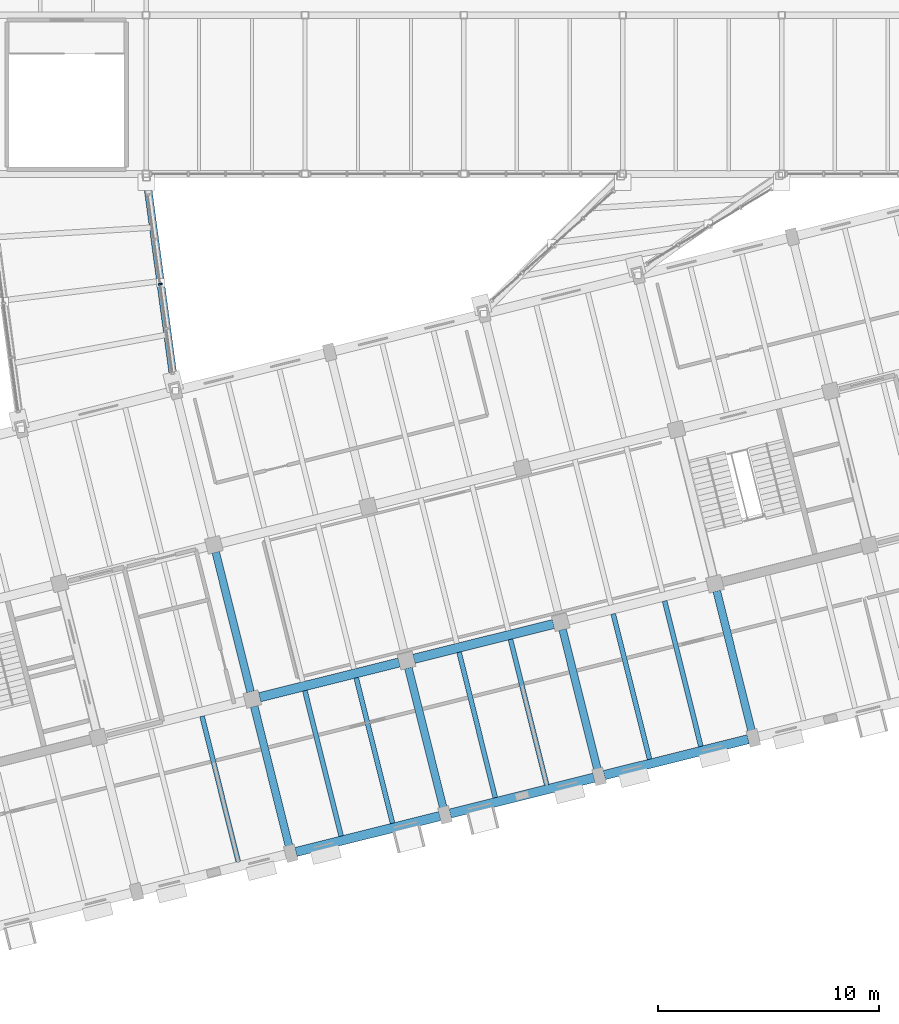
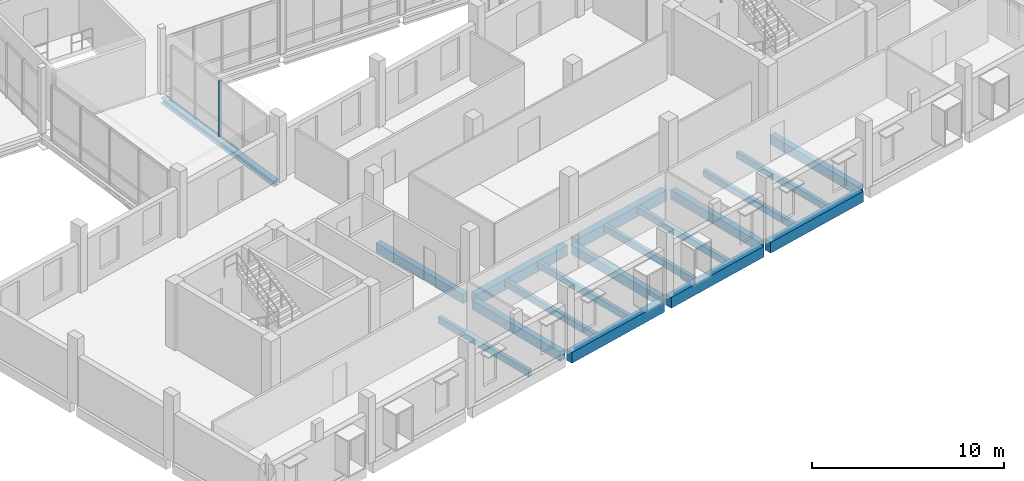
# One storey, part 13 of 63: 18 beams, 1 member, 1 element without a shape of its own.
"""IFC4 building model written with IfcOpenShell, lengths in metres."""

from ifc_helpers import new_model, si_unit, direction, frame, origin, origin_2d, place, context, subcontext, project, spatial, rectangle, i_section, extrude, material, material_profile, profile_set, type_object, element, aggregate, save


model = new_model("IFC4")

# Units and contexts
model_context = context("Model", 3, precision=1e-05, world=origin(), true_north=direction((0.0, 1.0)))
body_context = subcontext(model_context, "Body", "Model", "MODEL_VIEW")
ifc_project = project(units=[si_unit("LENGTHUNIT", "METRE"), si_unit("AREAUNIT", "SQUARE_METRE"), si_unit("VOLUMEUNIT", "CUBIC_METRE"), si_unit("PLANEANGLEUNIT", "RADIAN"), si_unit("MASSUNIT", "GRAM", prefix="KILO")], contexts=[model_context])

# Site, building, storey
site_placement = place(None, origin())
site = spatial("IfcSite", under=ifc_project, at=site_placement, CompositionType="ELEMENT")
building_placement = place(site_placement, origin())
building = spatial("IfcBuilding", under=site, at=building_placement, Name="Qiaolan Assembly House", CompositionType="ELEMENT")
storey_placement = place(building_placement, frame((0.0, 0.0, 14.39990234375)))
storey = spatial("IfcBuildingStorey", under=building, at=storey_placement, Name="L03", CompositionType="ELEMENT", Elevation=14.39990234375)

# Beams
ifc_material_1 = material(Name="Steel Q355B", Category="steel")
ifc_material_profile_1 = material_profile(ifc_material_1, i_section(OverallWidth=0.35009765625, OverallDepth=0.35009765625, WebThickness=0.011962890625, FlangeThickness=0.01904296875, FilletRadius=0.02001953125, at=origin_2d()), Name="HW 350x350x12x19-BR")
ifc_profile_set_1 = profile_set([ifc_material_profile_1], Name="Steel Q355B")
beam_type_1 = type_object("IfcBeamType", Name="BM-BRIDGE-CHORD-HW350", PredefinedType="BEAM", material=ifc_profile_set_1)
beam_1_placement = place(storey_placement, frame((51.703857421875, 26.30029296875, -0.364990234375), z_axis=(-0.133217934411, 0.991086768124, 0.0), x_axis=(-0.991086768124, -0.133217934411, 0.0)))
element("IfcBeam", 1, at=beam_1_placement, inside=storey, type_object=beam_type_1, Name="BGB-01 skybridge main girder WB L03", PredefinedType="BEAM", context=body_context, shape_type="SweptSolid", body=[
    extrude(i_section(OverallWidth=0.35009765625, OverallDepth=0.35009765625, WebThickness=0.011962890625, FlangeThickness=0.01904296875, FilletRadius=0.02001953125, at=origin_2d()), origin(), (0.0, 0.0, 1.0), 9.64697265625),
])
ifc_material_2 = material(Name="Concrete C40/50", Category="concrete")
ifc_material_profile_2 = material_profile(ifc_material_2, rectangle(XDim=0.35009765625, YDim=0.60009765625, at=origin_2d()), Name="RCB 350x600")
ifc_profile_set_2 = profile_set([ifc_material_profile_2], Name="Concrete C40/50")
beam_type_2 = type_object("IfcBeamType", Name="BM-RC-350x600", PredefinedType="BEAM", material=ifc_profile_set_2)
beam_2_placement = place(storey_placement, frame((56.900390625, 5.45849609375, -0.514892578125), z_axis=(-0.241928153868, 0.970294165893, 0.0), x_axis=(-0.970294165893, -0.241928153868, 0.0)))
element("IfcBeam", 2, at=beam_2_placement, inside=storey, type_object=beam_type_2, Name="GB-08 beam BMV-SE-L03-03-00", PredefinedType="BEAM", context=body_context, shape_type="SweptSolid", body=[
    extrude(rectangle(XDim=0.35009765625, YDim=0.60009765625, at=origin_2d()), origin(), (0.0, 0.0, 1.0), 6.619873046875),
])
beam_3_placement = place(storey_placement, frame((55.13427734375, 12.54150390625, -0.514892578125), z_axis=(-0.241927658105, 0.970294289504, 0.0), x_axis=(-0.970294289504, -0.241927658105, 0.0)))
element("IfcBeam", 3, at=beam_3_placement, inside=storey, type_object=beam_type_2, Name="GB-08 beam BMV-SE-L03-03-01", PredefinedType="BEAM", context=body_context, shape_type="SweptSolid", body=[
    extrude(rectangle(XDim=0.35009765625, YDim=0.60009765625, at=origin_2d()), origin(), (0.0, 0.0, 1.0), 6.52001953125),
])
for number, where, z_axis, x_axis, name in (
    (4, (63.886474609375, 7.2001953125, -0.514892578125), (-0.241928153868, 0.970294165893, 0.0), (-0.970294165893, -0.241928153868, 0.0), "GB-08 beam BMV-SE-L03-04-00"),
    (5, (70.87255859375, 8.942138671875, -0.514892578125), (-0.241928153868, 0.970294165893, 0.0), (-0.970294165893, -0.241928153868, 0.0), "GB-08 beam BMV-SE-L03-05-00"),
    (6, (77.858642578125, 10.683837890625, -0.514892578125), (-0.241928153868, 0.970294165893, 0.0), (-0.970294165893, -0.241928153868, 0.0), "GB-08 beam BMV-SE-L03-06-00"),
):
    element("IfcBeam", number, at=place(storey_placement, frame(where, z_axis=z_axis, x_axis=x_axis)), inside=storey, type_object=beam_type_2, Name=name, PredefinedType="BEAM", context=body_context, shape_type="SweptSolid", body=[
        extrude(rectangle(XDim=0.35009765625, YDim=0.60009765625, at=origin_2d()), origin(), (0.0, 0.0, 1.0), 6.619873046875),
    ])
ifc_material_profile_3 = material_profile(ifc_material_2, rectangle(XDim=0.419921875, YDim=0.679931640625, at=origin_2d()), Name="RCB 420x680")
ifc_profile_set_3 = profile_set([ifc_material_profile_3], Name="Concrete C40/50")
beam_type_3 = type_object("IfcBeamType", Name="BM-RC-420x680", PredefinedType="BEAM", material=ifc_profile_set_3)
for number, where, z_axis, x_axis, name in (
    (7, (57.191162109375, 5.28369140625, -0.554931640625), (0.970304699599, 0.241885902723, 0.0), (-0.241885902723, 0.970304699599, 0.0), "GB-12 beam BMU-SE-L03-03-00"),
    (8, (64.177490234375, 7.025390625, -0.554931640625), (0.970294045957, 0.241928634891, 0.0), (-0.241928634891, 0.970294045957, 0.0), "GB-12 beam BMU-SE-L03-04-00"),
    (9, (71.16357421875, 8.767333984375, -0.554931640625), (0.970294045957, 0.241928634891, 0.0), (-0.241928634891, 0.970294045957, 0.0), "GB-12 beam BMU-SE-L03-05-00"),
):
    element("IfcBeam", number, at=place(storey_placement, frame(where, z_axis=z_axis, x_axis=x_axis)), inside=storey, type_object=beam_type_3, Name=name, PredefinedType="BEAM", context=body_context, shape_type="SweptSolid", body=[
        extrude(rectangle(XDim=0.419921875, YDim=0.679931640625, at=origin_2d()), origin(), (0.0, 0.0, 1.0), 6.719970703125),
    ])
for number, where, z_axis, x_axis, name in (
    (10, (55.54638671875, 12.2939453125, -0.554931640625), (0.970294289504, 0.241927658105, 0.0), (-0.241927658105, 0.970294289504, 0.0), "GB-12 beam BMU-SE-L03-03-01"),
    (11, (62.532470703125, 14.03564453125, -0.554931640625), (0.970294289504, 0.241927658105, 0.0), (-0.241927658105, 0.970294289504, 0.0), "GB-12 beam BMU-SE-L03-04-01"),
):
    element("IfcBeam", number, at=place(storey_placement, frame(where, z_axis=z_axis, x_axis=x_axis)), inside=storey, type_object=beam_type_3, Name=name, PredefinedType="BEAM", context=body_context, shape_type="SweptSolid", body=[
        extrude(rectangle(XDim=0.419921875, YDim=0.679931640625, at=origin_2d()), origin(), (0.0, 0.0, 1.0), 6.52001953125),
    ])

# Curtain wall, member
ifc_material_3 = material(Name="Anodised bronze aluminium", Category="aluminium")
curtain_wall_type = type_object("IfcCurtainWallType", Name="CW-BRIDGE-420", PredefinedType="NOTDEFINED", material=ifc_material_3)
curtain_wall_placement = place(storey_placement, origin())
curtain_wall = element("IfcCurtainWall", 12, at=curtain_wall_placement, inside=storey, type_object=curtain_wall_type, Name="CW-03 Glazed Skybridge Curtain Wall WB L03 E", PredefinedType="NOTDEFINED")
ifc_material_profile_4 = material_profile(ifc_material_3, rectangle(XDim=0.077880859375, YDim=0.179931640625, at=origin_2d()), Name="MUL 78x180")
ifc_profile_set_4 = profile_set([ifc_material_profile_4], Name="Anodised bronze aluminium")
member_type = type_object("IfcMemberType", Name="CW-BRIDGE-420-MUL", PredefinedType="MULLION", material=ifc_profile_set_4)
member_placement = place(storey_placement, frame((51.0361328125, 31.01318359375, 0.0), z_axis=(0.0, 0.0, 1.0), x_axis=(0.137387630004, -0.990517359324, 0.0)))
member = element("IfcMember", 13, at=member_placement, type_object=member_type, Name="ML-04 mullion CW-BRIDGE-WB-L03-E-3", PredefinedType="MULLION", context=body_context, shape_type="SweptSolid", body=[
    extrude(rectangle(XDim=0.077880859375, YDim=0.179931640625, at=origin_2d()), origin(), (0.0, 0.0, 1.0), 3.550048828125),
])
aggregate(curtain_wall, [member])

# Beams
ifc_material_profile_5 = material_profile(ifc_material_2, rectangle(XDim=0.219970703125, YDim=0.419921875, at=origin_2d()), Name="RCB 220x420")
ifc_profile_set_5 = profile_set([ifc_material_profile_5], Name="Concrete C40/50")
beam_type_4 = type_object("IfcBeamType", Name="JST-RC-220x420", PredefinedType="JOIST", material=ifc_profile_set_5)
beam_4_placement = place(storey_placement, frame((54.580322265625, 4.8427734375, -0.4248046875), z_axis=(-0.241909709048, 0.970298764643, 0.0), x_axis=(-0.970298764643, -0.241909709048, 0.0)))
element("IfcBeam", 14, at=beam_4_placement, inside=storey, type_object=beam_type_4, Name="RJ-03 beam JST-SE-L03-02-00-2", PredefinedType="JOIST", context=body_context, shape_type="SweptSolid", body=[
    extrude(rectangle(XDim=0.219970703125, YDim=0.419921875, at=origin_2d()), origin(), (0.0, 0.0, 1.0), 6.7919921875),
])
beam_5_placement = place(storey_placement, frame((59.23779296875, 6.004150390625, -0.4248046875), z_axis=(-0.241918146508, 0.970296661022, 0.0), x_axis=(-0.970296661022, -0.241918146508, 0.0)))
element("IfcBeam", 15, at=beam_5_placement, inside=storey, type_object=beam_type_4, Name="RJ-03 beam JST-SE-L03-03-00-1", PredefinedType="JOIST", context=body_context, shape_type="SweptSolid", body=[
    extrude(rectangle(XDim=0.219970703125, YDim=0.419921875, at=origin_2d()), origin(), (0.0, 0.0, 1.0), 6.791748046875),
])
for number, where, z_axis, x_axis, name in (
    (16, (61.56640625, 6.584716796875, -0.4248046875), (-0.241909709048, 0.970298764643, 0.0), (-0.970298764643, -0.241909709048, 0.0), "RJ-03 beam JST-SE-L03-03-00-2"),
    (17, (66.223876953125, 7.745849609375, -0.4248046875), (-0.241909709048, 0.970298764643, 0.0), (-0.970298764643, -0.241909709048, 0.0), "RJ-03 beam JST-SE-L03-04-00-1"),
    (18, (68.552490234375, 8.326416015625, -0.4248046875), (-0.241909709048, 0.970298764643, 0.0), (-0.970298764643, -0.241909709048, 0.0), "RJ-03 beam JST-SE-L03-04-00-2"),
):
    element("IfcBeam", number, at=place(storey_placement, frame(where, z_axis=z_axis, x_axis=x_axis)), inside=storey, type_object=beam_type_4, Name=name, PredefinedType="JOIST", context=body_context, shape_type="SweptSolid", body=[
        extrude(rectangle(XDim=0.219970703125, YDim=0.419921875, at=origin_2d()), origin(), (0.0, 0.0, 1.0), 6.7919921875),
    ])
beam_6_placement = place(storey_placement, frame((73.2099609375, 9.48779296875, -0.4248046875), z_axis=(-0.241918146508, 0.970296661022, 0.0), x_axis=(-0.970296661022, -0.241918146508, 0.0)))
element("IfcBeam", 19, at=beam_6_placement, inside=storey, type_object=beam_type_4, Name="RJ-03 beam JST-SE-L03-05-00-1", PredefinedType="JOIST", context=body_context, shape_type="SweptSolid", body=[
    extrude(rectangle(XDim=0.219970703125, YDim=0.419921875, at=origin_2d()), origin(), (0.0, 0.0, 1.0), 6.791748046875),
])
beam_7_placement = place(storey_placement, frame((75.538818359375, 10.068359375, -0.4248046875), z_axis=(-0.241943550075, 0.970290326952, 0.0), x_axis=(-0.970290326952, -0.241943550075, 0.0)))
element("IfcBeam", 20, at=beam_7_placement, inside=storey, type_object=beam_type_4, Name="RJ-03 beam JST-SE-L03-05-00-2", PredefinedType="JOIST", context=body_context, shape_type="SweptSolid", body=[
    extrude(rectangle(XDim=0.219970703125, YDim=0.419921875, at=origin_2d()), origin(), (0.0, 0.0, 1.0), 6.792236328125),
])

save(model, "model.ifc")
